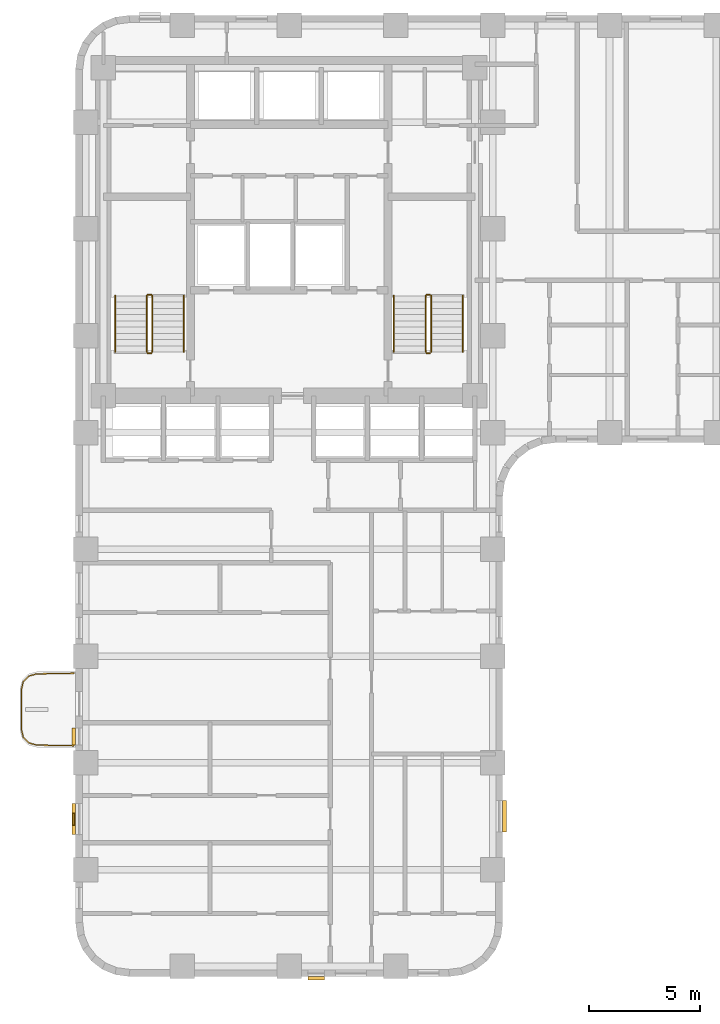
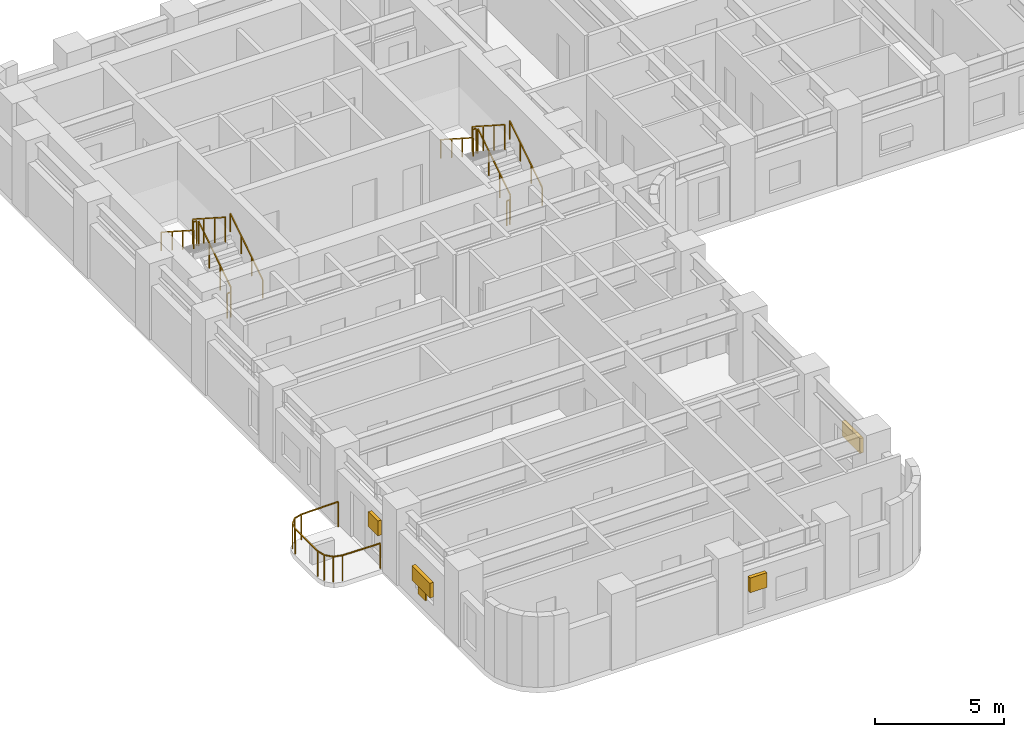
# One storey, part 9 of 11: 13 railings, 5 shading devices.
"""IFC4 building model written with IfcOpenShell, lengths in metres."""

from ifc_helpers import new_model, si_unit, direction, frame, origin, origin_2d, place, context, subcontext, project, spatial, rectangle, extrude, material, type_object, element, save


model = new_model("IFC4")

# Units and contexts
model_context = context("Model", 3, precision=1e-05, world=origin(), true_north=direction((0.0, 1.0)))
body_context = subcontext(model_context, "Body", "Model", "MODEL_VIEW")
ifc_project = project(units=[si_unit("LENGTHUNIT", "METRE"), si_unit("AREAUNIT", "SQUARE_METRE"), si_unit("VOLUMEUNIT", "CUBIC_METRE"), si_unit("PLANEANGLEUNIT", "RADIAN"), si_unit("MASSUNIT", "GRAM", prefix="KILO")], contexts=[model_context])

# Site, building, storey
site_placement = place(None, origin())
site = spatial("IfcSite", under=ifc_project, at=site_placement, CompositionType="ELEMENT")
building_placement = place(site_placement, origin())
building = spatial("IfcBuilding", under=site, at=building_placement, Name="Orvandelia Arch Residences", CompositionType="ELEMENT")
storey_placement = place(building_placement, frame((0.0, 0.0, 50.199951171875)))
storey = spatial("IfcBuildingStorey", under=building, at=storey_placement, Name="L12", CompositionType="ELEMENT", Elevation=50.199951171875)

# Railings
ifc_material_1 = material(Name="Marine-Grade Stainless Steel 316", Category="steel")
railing_type_1 = type_object("IfcRailingType", Name="GRD-BAL-1200", PredefinedType="BALUSTRADE", material=ifc_material_1)
railing_1_placement = place(storey_placement, frame((4.728271484375, 18.430419921875, 0.0)))
element("IfcRailing", 1, at=railing_1_placement, inside=storey, type_object=railing_type_1, Name="Safety Balustrade Guard GRD-L12-BAL-L12-W1-1", PredefinedType="BALUSTRADE", context=body_context, shape_type="SweptSolid", body=[
    extrude(rectangle(XDim=0.048095703125, YDim=0.048095703125, at=origin_2d()), frame((0.0, 0.0, 1.19580078125), z_axis=(-0.999834751713, -0.018178813668, 0.0), x_axis=(0.018178813668, -0.999834751713, 0.0)), (0.0, 0.0, 1.0), 1.6787109375),
    extrude(rectangle(XDim=0.048095703125, YDim=0.048095703125, at=origin_2d()), frame((-1.678466796875, -0.030517578125, 1.19580078125), z_axis=(-0.96348920644, -0.267747173792, 0.0), x_axis=(0.267747173792, -0.96348920644, 0.0)), (0.0, 0.0, 1.0), 0.36572265625),
    extrude(rectangle(XDim=0.048095703125, YDim=0.048095703125, at=origin_2d()), frame((-2.03076171875, -0.12841796875, 1.19580078125), z_axis=(-0.688627404251, -0.725115368831, 0.0), x_axis=(0.725115368831, -0.688627404251, 0.0)), (0.0, 0.0, 1.0), 0.367919921875),
    extrude(rectangle(XDim=0.048095703125, YDim=0.048095703125, at=origin_2d()), frame((-2.2841796875, -0.395263671875, 1.19580078125), z_axis=(-0.220602419982, -0.975363815352, 0.0), x_axis=(0.975363815352, -0.220602419982, 0.0)), (0.0, 0.0, 1.0), 0.373046875),
    extrude(rectangle(XDim=0.048095703125, YDim=0.048095703125, at=origin_2d()), frame((-2.366455078125, -0.759033203125, 1.19580078125), z_axis=(0.0, -1.0, 0.0), x_axis=(1.0, 0.0, 0.0)), (0.0, 0.0, 1.0), 1.74267578125),
    extrude(rectangle(XDim=0.048095703125, YDim=0.048095703125, at=origin_2d()), frame((-2.366455078125, -2.501708984375, 1.19580078125), z_axis=(0.220602419982, -0.975363815352, 0.0), x_axis=(0.975363815352, 0.220602419982, 0.0)), (0.0, 0.0, 1.0), 0.373046875),
    extrude(rectangle(XDim=0.048095703125, YDim=0.048095703125, at=origin_2d()), frame((-2.2841796875, -2.865478515625, 1.19580078125), z_axis=(0.688296224633, -0.725429739642, 0.0), x_axis=(0.725429739642, 0.688296224633, 0.0)), (0.0, 0.0, 1.0), 0.3681640625),
    extrude(rectangle(XDim=0.048095703125, YDim=0.048095703125, at=origin_2d()), frame((-2.03076171875, -3.132568359375, 1.19580078125), z_axis=(0.96348920644, -0.267747173792, 0.0), x_axis=(0.267747173792, 0.96348920644, 0.0)), (0.0, 0.0, 1.0), 0.36572265625),
    extrude(rectangle(XDim=0.048095703125, YDim=0.048095703125, at=origin_2d()), frame((-1.678466796875, -3.23046875, 1.19580078125), z_axis=(0.999837384468, -0.018033430643, 0.0), x_axis=(0.018033430643, 0.999837384468, 0.0)), (0.0, 0.0, 1.0), 1.6787109375),
    extrude(rectangle(XDim=0.0419921875, YDim=0.0419921875, at=origin_2d()), origin(), (0.0, 0.0, 1.0), 1.171875),
    extrude(rectangle(XDim=0.0419921875, YDim=0.0419921875, at=origin_2d()), frame((-1.678466796875, -0.030517578125, 0.0)), (0.0, 0.0, 1.0), 1.171875),
    extrude(rectangle(XDim=0.0419921875, YDim=0.0419921875, at=origin_2d()), frame((-2.03076171875, -0.12841796875, 0.0)), (0.0, 0.0, 1.0), 1.171875),
    extrude(rectangle(XDim=0.0419921875, YDim=0.0419921875, at=origin_2d()), frame((-2.2841796875, -0.395263671875, 0.0)), (0.0, 0.0, 1.0), 1.171875),
    extrude(rectangle(XDim=0.0419921875, YDim=0.0419921875, at=origin_2d()), frame((-2.366455078125, -0.759033203125, 0.0)), (0.0, 0.0, 1.0), 1.171875),
    extrude(rectangle(XDim=0.0419921875, YDim=0.0419921875, at=origin_2d()), frame((-2.366455078125, -2.501708984375, 0.0)), (0.0, 0.0, 1.0), 1.171875),
    extrude(rectangle(XDim=0.0419921875, YDim=0.0419921875, at=origin_2d()), frame((-2.2841796875, -2.865478515625, 0.0)), (0.0, 0.0, 1.0), 1.171875),
    extrude(rectangle(XDim=0.0419921875, YDim=0.0419921875, at=origin_2d()), frame((-2.03076171875, -3.132568359375, 0.0)), (0.0, 0.0, 1.0), 1.171875),
    extrude(rectangle(XDim=0.0419921875, YDim=0.0419921875, at=origin_2d()), frame((-1.678466796875, -3.23046875, 0.0)), (0.0, 0.0, 1.0), 1.171875),
    extrude(rectangle(XDim=0.0419921875, YDim=0.0419921875, at=origin_2d()), frame((0.0, -3.2607421875, 0.0)), (0.0, 0.0, 1.0), 1.171875),
])
ifc_material_2 = material(Name="Brushed Stainless Steel 304", Category="steel")
railing_type_2 = type_object("IfcRailingType", Name="RL-STAIR-GD1120", PredefinedType="GUARDRAIL", material=ifc_material_2)
railing_2_placement = place(storey_placement, frame((8.25, 32.8701171875, 0.179931640625)))
element("IfcRailing", 2, at=railing_2_placement, inside=storey, type_object=railing_type_2, Name="L12 ST-1 stair guard 1", PredefinedType="GUARDRAIL", context=body_context, shape_type="SweptSolid", body=[
    extrude(rectangle(XDim=0.048095703125, YDim=0.048095703125, at=origin_2d()), frame((0.0, 0.0, 1.17578125), z_axis=(0.0, 0.841138753965, 0.540819375188), x_axis=(-1.0, 0.0, 0.0)), (0.0, 0.0, 1.0), 2.99560546875),
    extrude(rectangle(XDim=0.0419921875, YDim=0.0419921875, at=origin_2d()), origin(), (0.0, 0.0, 1.0), 1.15185546875),
    extrude(rectangle(XDim=0.0419921875, YDim=0.0419921875, at=origin_2d()), frame((0.0, 0.83984375, 0.5400390625)), (0.0, 0.0, 1.0), 1.15185546875),
    extrude(rectangle(XDim=0.0419921875, YDim=0.0419921875, at=origin_2d()), frame((0.0, 1.679931640625, 1.080078125)), (0.0, 0.0, 1.0), 1.15185546875),
    extrude(rectangle(XDim=0.0419921875, YDim=0.0419921875, at=origin_2d()), frame((0.0, 2.519775390625, 1.6201171875)), (0.0, 0.0, 1.0), 1.15185546875),
])
railing_3_placement = place(storey_placement, frame((8.199951171875, 35.43994140625, 1.800048828125)))
element("IfcRailing", 3, at=railing_3_placement, inside=storey, type_object=railing_type_2, Name="L12 ST-1 stair guard 2", PredefinedType="GUARDRAIL", context=body_context, shape_type="SweptSolid", body=[
    extrude(rectangle(XDim=0.048095703125, YDim=0.048095703125, at=origin_2d()), frame((0.0, 0.0, 1.17578125), z_axis=(-1.0, 0.0, 0.0), x_axis=(0.0, -1.0, 0.0)), (0.0, 0.0, 1.0), 0.14990234375),
    extrude(rectangle(XDim=0.0419921875, YDim=0.0419921875, at=origin_2d()), origin(), (0.0, 0.0, 1.0), 1.15185546875),
    extrude(rectangle(XDim=0.0419921875, YDim=0.0419921875, at=origin_2d()), frame((-0.14990234375, 0.0, 0.0)), (0.0, 0.0, 1.0), 1.15185546875),
])
railing_4_placement = place(storey_placement, frame((8.0, 35.389892578125, 1.97998046875)))
element("IfcRailing", 4, at=railing_4_placement, inside=storey, type_object=railing_type_2, Name="L12 ST-1 stair guard 3", PredefinedType="GUARDRAIL", context=body_context, shape_type="SweptSolid", body=[
    extrude(rectangle(XDim=0.048095703125, YDim=0.048095703125, at=origin_2d()), frame((0.0, 0.0, 1.17578125), z_axis=(0.0, -0.841138753965, 0.540819375188), x_axis=(1.0, 0.0, 0.0)), (0.0, 0.0, 1.0), 2.99560546875),
    extrude(rectangle(XDim=0.0419921875, YDim=0.0419921875, at=origin_2d()), origin(), (0.0, 0.0, 1.0), 1.15185546875),
    extrude(rectangle(XDim=0.0419921875, YDim=0.0419921875, at=origin_2d()), frame((0.0, -0.83984375, 0.5400390625)), (0.0, 0.0, 1.0), 1.15185546875),
    extrude(rectangle(XDim=0.0419921875, YDim=0.0419921875, at=origin_2d()), frame((0.0, -1.679931640625, 1.080078125)), (0.0, 0.0, 1.0), 1.15185546875),
    extrude(rectangle(XDim=0.0419921875, YDim=0.0419921875, at=origin_2d()), frame((0.0, -2.519775390625, 1.6201171875)), (0.0, 0.0, 1.0), 1.15185546875),
])
railing_5_placement = place(storey_placement, frame((8.199951171875, 32.820068359375, 0.0)))
element("IfcRailing", 5, at=railing_5_placement, inside=storey, type_object=railing_type_2, Name="L12 ST-1 stair guard 4", PredefinedType="GUARDRAIL", context=body_context, shape_type="SweptSolid", body=[
    extrude(rectangle(XDim=0.048095703125, YDim=0.048095703125, at=origin_2d()), frame((0.0, 0.0, 1.17578125), z_axis=(-1.0, 0.0, 0.0), x_axis=(0.0, -1.0, 0.0)), (0.0, 0.0, 1.0), 0.14990234375),
    extrude(rectangle(XDim=0.0419921875, YDim=0.0419921875, at=origin_2d()), origin(), (0.0, 0.0, 1.0), 1.15185546875),
    extrude(rectangle(XDim=0.0419921875, YDim=0.0419921875, at=origin_2d()), frame((-0.14990234375, 0.0, 0.0)), (0.0, 0.0, 1.0), 1.15185546875),
])
railing_6_placement = place(storey_placement, frame((20.780029296875, 32.8701171875, 0.179931640625)))
element("IfcRailing", 6, at=railing_6_placement, inside=storey, type_object=railing_type_2, Name="L12 ST-2 stair guard 1", PredefinedType="GUARDRAIL", context=body_context, shape_type="SweptSolid", body=[
    extrude(rectangle(XDim=0.048095703125, YDim=0.048095703125, at=origin_2d()), frame((0.0, 0.0, 1.17578125), z_axis=(0.0, 0.841138753965, 0.540819375188), x_axis=(-1.0, 0.0, 0.0)), (0.0, 0.0, 1.0), 2.99560546875),
    extrude(rectangle(XDim=0.0419921875, YDim=0.0419921875, at=origin_2d()), origin(), (0.0, 0.0, 1.0), 1.15185546875),
    extrude(rectangle(XDim=0.0419921875, YDim=0.0419921875, at=origin_2d()), frame((0.0, 0.83984375, 0.5400390625)), (0.0, 0.0, 1.0), 1.15185546875),
    extrude(rectangle(XDim=0.0419921875, YDim=0.0419921875, at=origin_2d()), frame((0.0, 1.679931640625, 1.080078125)), (0.0, 0.0, 1.0), 1.15185546875),
    extrude(rectangle(XDim=0.0419921875, YDim=0.0419921875, at=origin_2d()), frame((0.0, 2.519775390625, 1.6201171875)), (0.0, 0.0, 1.0), 1.15185546875),
])
railing_7_placement = place(storey_placement, frame((20.72998046875, 35.43994140625, 1.800048828125)))
element("IfcRailing", 7, at=railing_7_placement, inside=storey, type_object=railing_type_2, Name="L12 ST-2 stair guard 2", PredefinedType="GUARDRAIL", context=body_context, shape_type="SweptSolid", body=[
    extrude(rectangle(XDim=0.048095703125, YDim=0.048095703125, at=origin_2d()), frame((0.0, 0.0, 1.17578125), z_axis=(-1.0, 0.0, 0.0), x_axis=(0.0, -1.0, 0.0)), (0.0, 0.0, 1.0), 0.14990234375),
    extrude(rectangle(XDim=0.0419921875, YDim=0.0419921875, at=origin_2d()), origin(), (0.0, 0.0, 1.0), 1.15185546875),
    extrude(rectangle(XDim=0.0419921875, YDim=0.0419921875, at=origin_2d()), frame((-0.14990234375, 0.0, 0.0)), (0.0, 0.0, 1.0), 1.15185546875),
])
railing_8_placement = place(storey_placement, frame((20.530029296875, 35.389892578125, 1.97998046875)))
element("IfcRailing", 8, at=railing_8_placement, inside=storey, type_object=railing_type_2, Name="L12 ST-2 stair guard 3", PredefinedType="GUARDRAIL", context=body_context, shape_type="SweptSolid", body=[
    extrude(rectangle(XDim=0.048095703125, YDim=0.048095703125, at=origin_2d()), frame((0.0, 0.0, 1.17578125), z_axis=(0.0, -0.841138753965, 0.540819375188), x_axis=(1.0, 0.0, 0.0)), (0.0, 0.0, 1.0), 2.99560546875),
    extrude(rectangle(XDim=0.0419921875, YDim=0.0419921875, at=origin_2d()), origin(), (0.0, 0.0, 1.0), 1.15185546875),
    extrude(rectangle(XDim=0.0419921875, YDim=0.0419921875, at=origin_2d()), frame((0.0, -0.83984375, 0.5400390625)), (0.0, 0.0, 1.0), 1.15185546875),
    extrude(rectangle(XDim=0.0419921875, YDim=0.0419921875, at=origin_2d()), frame((0.0, -1.679931640625, 1.080078125)), (0.0, 0.0, 1.0), 1.15185546875),
    extrude(rectangle(XDim=0.0419921875, YDim=0.0419921875, at=origin_2d()), frame((0.0, -2.519775390625, 1.6201171875)), (0.0, 0.0, 1.0), 1.15185546875),
])
railing_9_placement = place(storey_placement, frame((20.72998046875, 32.820068359375, 0.0)))
element("IfcRailing", 9, at=railing_9_placement, inside=storey, type_object=railing_type_2, Name="L12 ST-2 stair guard 4", PredefinedType="GUARDRAIL", context=body_context, shape_type="SweptSolid", body=[
    extrude(rectangle(XDim=0.048095703125, YDim=0.048095703125, at=origin_2d()), frame((0.0, 0.0, 1.17578125), z_axis=(-1.0, 0.0, 0.0), x_axis=(0.0, -1.0, 0.0)), (0.0, 0.0, 1.0), 0.14990234375),
    extrude(rectangle(XDim=0.0419921875, YDim=0.0419921875, at=origin_2d()), origin(), (0.0, 0.0, 1.0), 1.15185546875),
    extrude(rectangle(XDim=0.0419921875, YDim=0.0419921875, at=origin_2d()), frame((-0.14990234375, 0.0, 0.0)), (0.0, 0.0, 1.0), 1.15185546875),
])
railing_type_3 = type_object("IfcRailingType", Name="RL-STAIR-HR920", PredefinedType="HANDRAIL", material=ifc_material_2)
railing_10_placement = place(storey_placement, frame((9.669921875, 32.8701171875, 0.360107421875)))
element("IfcRailing", 10, at=railing_10_placement, inside=storey, type_object=railing_type_3, Name="L12 ST-1 stair handrail 1", PredefinedType="HANDRAIL", context=body_context, shape_type="SweptSolid", body=[
    extrude(rectangle(XDim=0.048095703125, YDim=0.048095703125, at=origin_2d()), frame((0.0, 0.0, 0.8759765625), z_axis=(0.0, 0.841175827307, 0.540761710511), x_axis=(-1.0, 0.0, 0.0)), (0.0, 0.0, 1.0), 2.99560546875),
    extrude(rectangle(XDim=0.0419921875, YDim=0.0419921875, at=origin_2d()), origin(), (0.0, 0.0, 1.0), 0.851806640625),
    extrude(rectangle(XDim=0.0419921875, YDim=0.0419921875, at=origin_2d()), frame((0.0, 0.83984375, 0.5400390625)), (0.0, 0.0, 1.0), 0.851806640625),
    extrude(rectangle(XDim=0.0419921875, YDim=0.0419921875, at=origin_2d()), frame((0.0, 1.679931640625, 1.079833984375)), (0.0, 0.0, 1.0), 0.851806640625),
    extrude(rectangle(XDim=0.0419921875, YDim=0.0419921875, at=origin_2d()), frame((0.0, 2.519775390625, 1.619873046875)), (0.0, 0.0, 1.0), 0.851806640625),
])
railing_11_placement = place(storey_placement, frame((6.580078125, 35.389892578125, 2.16015625)))
element("IfcRailing", 11, at=railing_11_placement, inside=storey, type_object=railing_type_3, Name="L12 ST-1 stair handrail 2", PredefinedType="HANDRAIL", context=body_context, shape_type="SweptSolid", body=[
    extrude(rectangle(XDim=0.048095703125, YDim=0.048095703125, at=origin_2d()), frame((0.0, 0.0, 0.8759765625), z_axis=(0.0, -0.841175827307, 0.540761710511), x_axis=(1.0, 0.0, 0.0)), (0.0, 0.0, 1.0), 2.99560546875),
    extrude(rectangle(XDim=0.0419921875, YDim=0.0419921875, at=origin_2d()), origin(), (0.0, 0.0, 1.0), 0.851806640625),
    extrude(rectangle(XDim=0.0419921875, YDim=0.0419921875, at=origin_2d()), frame((0.0, -0.83984375, 0.5400390625)), (0.0, 0.0, 1.0), 0.851806640625),
    extrude(rectangle(XDim=0.0419921875, YDim=0.0419921875, at=origin_2d()), frame((0.0, -1.679931640625, 1.079833984375)), (0.0, 0.0, 1.0), 0.851806640625),
    extrude(rectangle(XDim=0.0419921875, YDim=0.0419921875, at=origin_2d()), frame((0.0, -2.519775390625, 1.619873046875)), (0.0, 0.0, 1.0), 0.851806640625),
])
railing_12_placement = place(storey_placement, frame((22.199951171875, 32.8701171875, 0.360107421875)))
element("IfcRailing", 12, at=railing_12_placement, inside=storey, type_object=railing_type_3, Name="L12 ST-2 stair handrail 1", PredefinedType="HANDRAIL", context=body_context, shape_type="SweptSolid", body=[
    extrude(rectangle(XDim=0.048095703125, YDim=0.048095703125, at=origin_2d()), frame((0.0, 0.0, 0.8759765625), z_axis=(0.0, 0.841175827307, 0.540761710511), x_axis=(-1.0, 0.0, 0.0)), (0.0, 0.0, 1.0), 2.99560546875),
    extrude(rectangle(XDim=0.0419921875, YDim=0.0419921875, at=origin_2d()), origin(), (0.0, 0.0, 1.0), 0.851806640625),
    extrude(rectangle(XDim=0.0419921875, YDim=0.0419921875, at=origin_2d()), frame((0.0, 0.83984375, 0.5400390625)), (0.0, 0.0, 1.0), 0.851806640625),
    extrude(rectangle(XDim=0.0419921875, YDim=0.0419921875, at=origin_2d()), frame((0.0, 1.679931640625, 1.079833984375)), (0.0, 0.0, 1.0), 0.851806640625),
    extrude(rectangle(XDim=0.0419921875, YDim=0.0419921875, at=origin_2d()), frame((0.0, 2.519775390625, 1.619873046875)), (0.0, 0.0, 1.0), 0.851806640625),
])
railing_13_placement = place(storey_placement, frame((19.110107421875, 35.389892578125, 2.16015625)))
element("IfcRailing", 13, at=railing_13_placement, inside=storey, type_object=railing_type_3, Name="L12 ST-2 stair handrail 2", PredefinedType="HANDRAIL", context=body_context, shape_type="SweptSolid", body=[
    extrude(rectangle(XDim=0.048095703125, YDim=0.048095703125, at=origin_2d()), frame((0.0, 0.0, 0.8759765625), z_axis=(0.0, -0.841175827307, 0.540761710511), x_axis=(1.0, 0.0, 0.0)), (0.0, 0.0, 1.0), 2.99560546875),
    extrude(rectangle(XDim=0.0419921875, YDim=0.0419921875, at=origin_2d()), origin(), (0.0, 0.0, 1.0), 0.851806640625),
    extrude(rectangle(XDim=0.0419921875, YDim=0.0419921875, at=origin_2d()), frame((0.0, -0.83984375, 0.5400390625)), (0.0, 0.0, 1.0), 0.851806640625),
    extrude(rectangle(XDim=0.0419921875, YDim=0.0419921875, at=origin_2d()), frame((0.0, -1.679931640625, 1.079833984375)), (0.0, 0.0, 1.0), 0.851806640625),
    extrude(rectangle(XDim=0.0419921875, YDim=0.0419921875, at=origin_2d()), frame((0.0, -2.519775390625, 1.619873046875)), (0.0, 0.0, 1.0), 0.851806640625),
])

# Shading devices
ifc_material_3 = material(Name="Anodised Champagne-Bronze Extruded Aluminium", Category="aluminium")
shading_device_type_1 = type_object("IfcShadingDeviceType", Name="SHD-JALOUSIE-SCREEN", PredefinedType="JALOUSIE", material=ifc_material_3)
shading_device_1_placement = place(storey_placement, frame((24.080078125, 12.0, 1.05029296875), z_axis=(0.0, 0.0, 1.0), x_axis=(0.0, -1.0, 0.0)))
element("IfcShadingDevice", 14, at=shading_device_1_placement, inside=storey, type_object=shading_device_type_1, Name="Bronze Jalousie Sun-Shade L12-007", PredefinedType="JALOUSIE", context=body_context, shape_type="SweptSolid", body=[
    extrude(rectangle(XDim=1.39990234375, YDim=0.159912109375, at=origin_2d()), origin(), (0.0, 0.0, 1.0), 0.699951171875),
])
shading_device_2_placement = place(storey_placement, frame((15.610107421875, 4.719970703125, 1.55029296875), z_axis=(0.0, 0.0, 1.0), x_axis=(-1.0, 0.0, 0.0)))
element("IfcShadingDevice", 15, at=shading_device_2_placement, inside=storey, type_object=shading_device_type_1, Name="Bronze Jalousie Sun-Shade L12-008", PredefinedType="JALOUSIE", context=body_context, shape_type="SweptSolid", body=[
    extrude(rectangle(XDim=0.75, YDim=0.159912109375, at=origin_2d()), origin(), (0.0, 0.0, 1.0), 0.699951171875),
])
shading_device_3_placement = place(storey_placement, frame((4.719970703125, 11.8701171875, 1.05029296875), z_axis=(0.0, 0.0, 1.0), x_axis=(0.0, 1.0, 0.0)))
element("IfcShadingDevice", 16, at=shading_device_3_placement, inside=storey, type_object=shading_device_type_1, Name="Bronze Jalousie Sun-Shade L12-009", PredefinedType="JALOUSIE", context=body_context, shape_type="SweptSolid", body=[
    extrude(rectangle(XDim=1.39990234375, YDim=0.159912109375, at=origin_2d()), origin(), (0.0, 0.0, 1.0), 0.699951171875),
])
shading_device_4_placement = place(storey_placement, frame((4.719970703125, 15.5849609375, 1.55029296875), z_axis=(0.0, 0.0, 1.0), x_axis=(0.0, 1.0, 0.0)))
element("IfcShadingDevice", 17, at=shading_device_4_placement, inside=storey, type_object=shading_device_type_1, Name="Bronze Jalousie Sun-Shade L12-010", PredefinedType="JALOUSIE", context=body_context, shape_type="SweptSolid", body=[
    extrude(rectangle(XDim=0.75, YDim=0.159912109375, at=origin_2d()), origin(), (0.0, 0.0, 1.0), 0.699951171875),
])
ifc_material_4 = material(Name="Marine-Grade Perforated Aluminium Storm Shutter", Category="aluminium")
shading_device_type_2 = type_object("IfcShadingDeviceType", Name="SHD-STORM-SHUTTER", PredefinedType="SHUTTER", material=ifc_material_4)
shading_device_5_placement = place(storey_placement, frame((4.719970703125, 11.8701171875, 0.64990234375), z_axis=(0.0, 0.0, 1.0), x_axis=(0.0, 1.0, 0.0)))
element("IfcShadingDevice", 18, at=shading_device_5_placement, inside=storey, type_object=shading_device_type_2, Name="Operable Typhoon Storm Shutter L12-009", PredefinedType="SHUTTER", context=body_context, shape_type="SweptSolid", body=[
    extrude(rectangle(XDim=0.550048828125, YDim=0.080078125, at=origin_2d()), origin(), (0.0, 0.0, 1.0), 1.10009765625),
])

save(model, "model.ifc")
